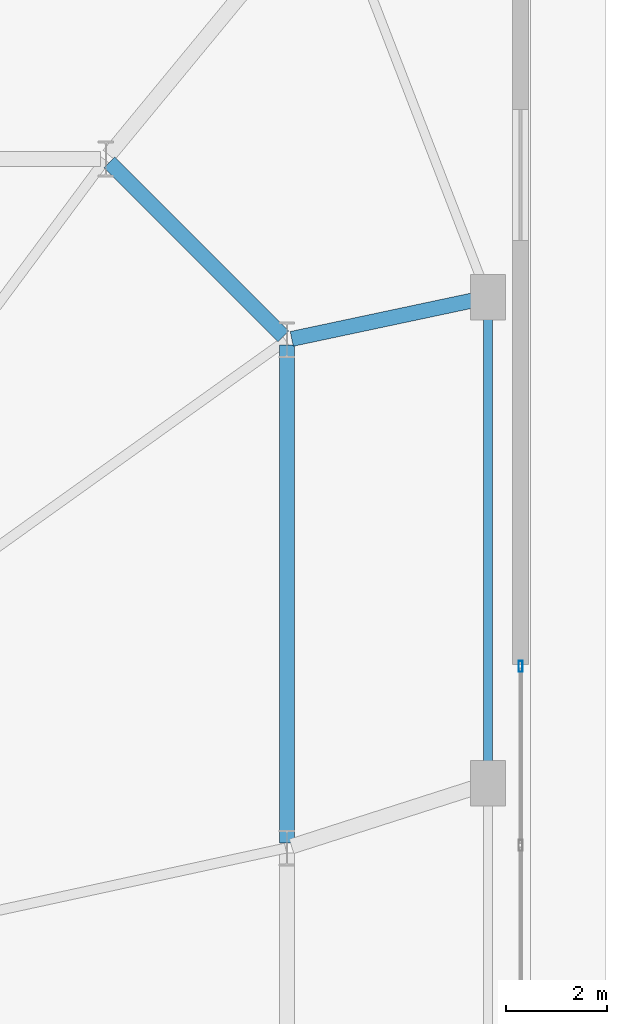
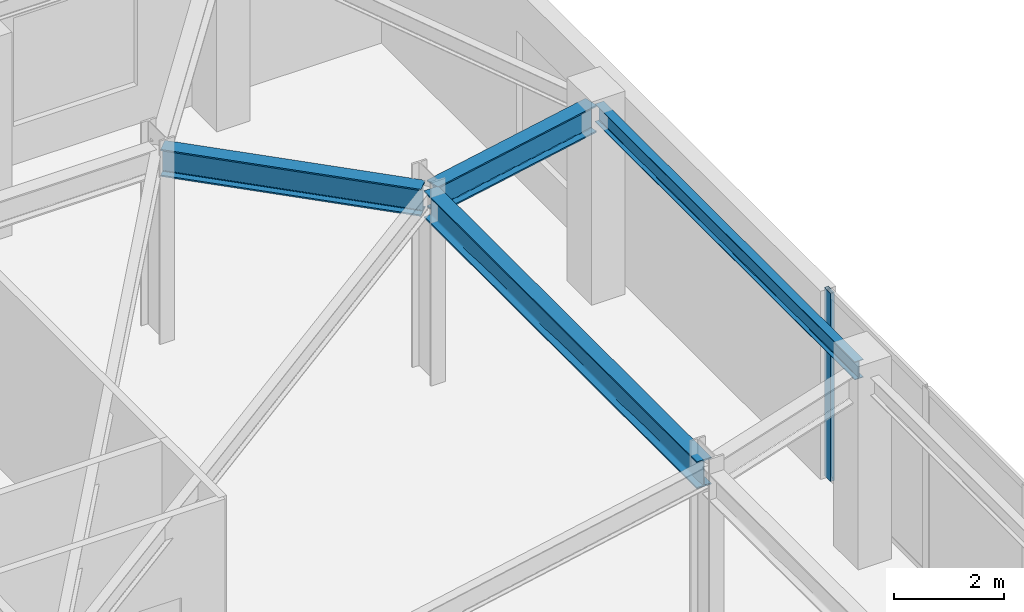
# One storey, part 11 of 21: 4 beams, 1 member, 1 element without a shape of its own.
"""IFC4 building model written with IfcOpenShell, lengths in metres."""

from ifc_helpers import new_model, si_unit, direction, frame, origin, origin_2d, place, context, subcontext, project, spatial, hollow_rectangle, i_section, extrude, material, layer, layer_set, material_profile, profile_set, type_object, element, aggregate, save


model = new_model("IFC4")

# Units and contexts
model_context = context("Model", 3, precision=1e-05, world=origin(), true_north=direction((0.0, 1.0)))
body_context = subcontext(model_context, "Body", "Model", "MODEL_VIEW")
ifc_project = project(units=[si_unit("LENGTHUNIT", "METRE"), si_unit("AREAUNIT", "SQUARE_METRE"), si_unit("VOLUMEUNIT", "CUBIC_METRE"), si_unit("PLANEANGLEUNIT", "RADIAN"), si_unit("MASSUNIT", "GRAM", prefix="KILO")], contexts=[model_context])

# Site, building, storey
site_placement = place(None, origin())
site = spatial("IfcSite", under=ifc_project, at=site_placement, CompositionType="ELEMENT")
building_placement = place(site_placement, origin())
building = spatial("IfcBuilding", under=site, at=building_placement, Name="Qobustan Lattice House", CompositionType="ELEMENT")
storey_placement = place(building_placement, frame((0.0, 0.0, 13.5)))
storey = spatial("IfcBuildingStorey", under=building, at=storey_placement, Name="L03", CompositionType="ELEMENT", Elevation=13.5)

# Beams
ifc_material_1 = material(Name="Steel S355", Category="steel")
ifc_material_profile_1 = material_profile(ifc_material_1, i_section(OverallWidth=0.300048828125, OverallDepth=0.60009765625, WebThickness=0.015380859375, FlangeThickness=0.030029296875, FilletRadius=0.027099609375, at=origin_2d()), Name="HEB600")
ifc_profile_set_1 = profile_set([ifc_material_profile_1], Name="Steel S355")
beam_type_1 = type_object("IfcBeamType", Name="BM-POD-HEB600", PredefinedType="USERDEFINED", material=ifc_profile_set_1)
beam_1_placement = place(storey_placement, frame((32.14990234375, 5.14990234375, 3.8701171875), z_axis=(0.0, 1.0, 0.0), x_axis=(-1.0, 0.0, 0.0)))
element("IfcBeam", 1, at=beam_1_placement, inside=storey, type_object=beam_type_1, Name="L03 tower base ring girder E3-E4", ObjectType="GIRDER", PredefinedType="USERDEFINED", context=body_context, shape_type="SweptSolid", body=[
    extrude(i_section(OverallWidth=0.300048828125, OverallDepth=0.60009765625, WebThickness=0.015380859375, FlangeThickness=0.030029296875, FilletRadius=0.027099609375, at=origin_2d()), origin(), (0.0, 0.0, 1.0), 9.900146484375),
])
beam_2_placement = place(storey_placement, frame((32.079345703125, 15.220703125, 3.8701171875), z_axis=(-0.70713173775, 0.707081823743, 0.0), x_axis=(-0.707081823743, -0.70713173775, 0.0)))
element("IfcBeam", 2, at=beam_2_placement, inside=storey, type_object=beam_type_1, Name="L03 tower base ring girder E4-N1", ObjectType="GIRDER", PredefinedType="USERDEFINED", context=body_context, shape_type="SweptSolid", body=[
    extrude(i_section(OverallWidth=0.300048828125, OverallDepth=0.60009765625, WebThickness=0.015380859375, FlangeThickness=0.030029296875, FilletRadius=0.027099609375, at=origin_2d()), origin(), (0.0, 0.0, 1.0), 4.89111328125),
])
beam_3_placement = place(storey_placement, frame((36.03271484375, 15.97509765625, 3.8701171875), z_axis=(-0.978163821655, -0.207835362738, 0.0), x_axis=(0.207835362738, -0.978163821655, 0.0)))
element("IfcBeam", 3, at=beam_3_placement, inside=storey, type_object=beam_type_1, Name="L03 podium radial girder PE4", ObjectType="GIRDER", PredefinedType="USERDEFINED", context=body_context, shape_type="SweptSolid", body=[
    extrude(i_section(OverallWidth=0.300048828125, OverallDepth=0.60009765625, WebThickness=0.015380859375, FlangeThickness=0.030029296875, FilletRadius=0.027099609375, at=origin_2d()), origin(), (0.0, 0.0, 1.0), 3.869384765625),
])
ifc_material_2 = material(Name="Steel S355", Category="steel")
ifc_material_profile_2 = material_profile(ifc_material_2, i_section(OverallWidth=0.179931640625, OverallDepth=0.39990234375, WebThickness=0.008544921875, FlangeThickness=0.013427734375, FilletRadius=0.02099609375, at=origin_2d()), Name="IPE400")
ifc_profile_set_2 = profile_set([ifc_material_profile_2], Name="Steel S355")
beam_type_2 = type_object("IfcBeamType", Name="BM-SPD-IPE400", PredefinedType="SPANDREL", material=ifc_profile_set_2)
beam_4_placement = place(storey_placement, frame((36.14990234375, 6.453369140625, 3.969970703125), z_axis=(0.0, 1.0, 0.0), x_axis=(-1.0, 0.0, 0.0)))
element("IfcBeam", 4, at=beam_4_placement, inside=storey, type_object=beam_type_2, Name="L03 podium spandrel PE3-PE4", PredefinedType="SPANDREL", context=body_context, shape_type="SweptSolid", body=[
    extrude(i_section(OverallWidth=0.179931640625, OverallDepth=0.39990234375, WebThickness=0.008544921875, FlangeThickness=0.013427734375, FilletRadius=0.02099609375, at=origin_2d()), origin(), (0.0, 0.0, 1.0), 9.4267578125),
])

# Curtain wall, member
ifc_material_3 = material(Name="Anodised aluminium and low-E glazing", Category="aluminium")
ifc_layer = layer(ifc_material_3, 0.219970703125)
ifc_layer_set = layer_set([ifc_layer], Name="Anodised aluminium and low-E glazing")
curtain_wall_type = type_object("IfcCurtainWallType", Name="CW-POD-01", PredefinedType="USERDEFINED", material=ifc_layer_set)
curtain_wall_placement = place(storey_placement, origin())
curtain_wall = element("IfcCurtainWall", 5, at=curtain_wall_placement, inside=storey, type_object=curtain_wall_type, Name="L03 E podium colonnade curtain wall", ObjectType="CURTAIN WALL", PredefinedType="USERDEFINED")
ifc_material_4 = material(Name="Anodised aluminium EN AW-6063 T6", Category="aluminium")
ifc_material_profile_3 = material_profile(ifc_material_4, hollow_rectangle(XDim=0.080078125, YDim=0.219970703125, WallThickness=0.0048828125, at=origin_2d()), Name="CWM-220x80")
ifc_profile_set_3 = profile_set([ifc_material_profile_3], Name="Anodised aluminium EN AW-6063 T6")
member_type = type_object("IfcMemberType", Name="CWM-MAIN-220", PredefinedType="MULLION", material=ifc_profile_set_3)
member_placement = place(storey_placement, frame((36.800048828125, 8.659912109375, 0.0), z_axis=(0.0, 0.0, 1.0), x_axis=(1.0, 0.0, 0.0)))
member = element("IfcMember", 6, at=member_placement, type_object=member_type, Name="CW-P1 mullion 1", PredefinedType="MULLION", context=body_context, shape_type="SweptSolid", body=[
    extrude(hollow_rectangle(XDim=0.080078125, YDim=0.219970703125, WallThickness=0.0048828125, at=origin_2d()), origin(), (0.0, 0.0, 1.0), 4.169921875),
])
aggregate(curtain_wall, [member])

save(model, "model.ifc")
